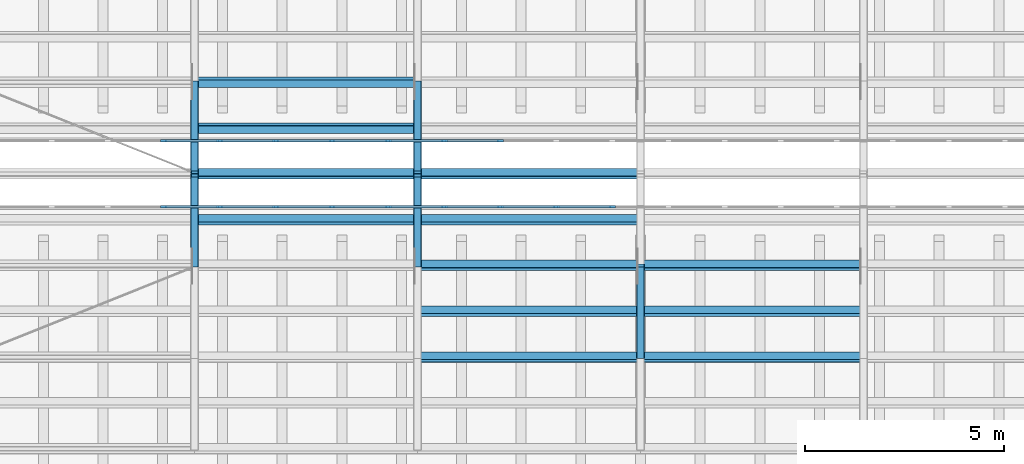
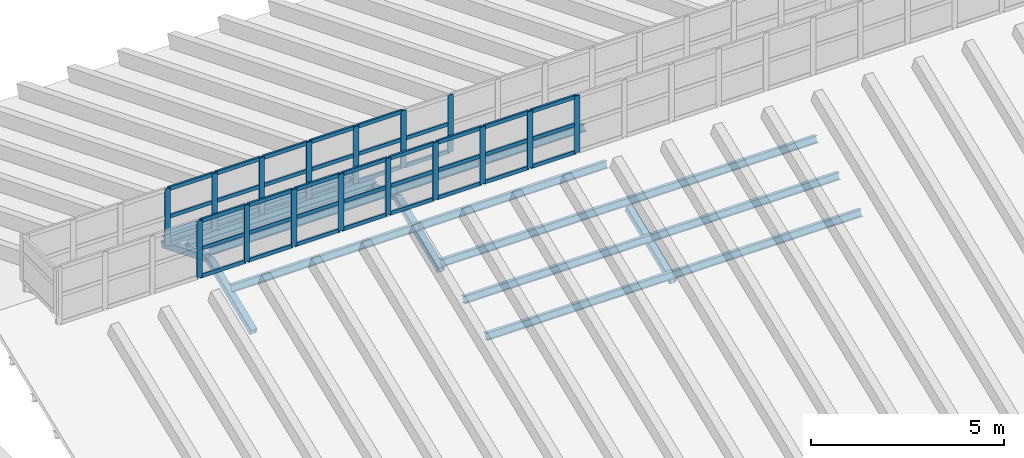
# One storey, part 30 of 105: 74 members, 2 elements without a shape of their own.
"""IFC4 building model written with IfcOpenShell, lengths in metres."""

import ifcopenshell
import ifcopenshell.guid

model = None  # the IFC model being written
_history = None  # IfcOwnerHistory: only IFC2X3 demands one
_inside = {}  # id of a spatial element -> (the spatial element, [elements in it])
_under = {}  # id of a project, library or spatial element -> (it, [spatial elements below it])
_declared = {}  # id of a project -> (the project, [libraries it declares])
_typed = {}  # id of a type object -> (the type object, [elements of that type])
_made_of = {}  # id of a material, layer set ... -> (it, [elements and type objects made of it])


def new_model(schema):
    """Start an empty IFC model of exactly this schema.

    Asked for "IFC4X3", IfcOpenShell would pick the latest addendum, in which some entities
    have other attributes; the version numbers below select the first issue.
    IFC2X3 requires an IfcOwnerHistory on every rooted entity: one is made here for all.
    """
    global model, _history
    if schema == "IFC4X3":
        model = ifcopenshell.file(schema_version=(4, 3, 0, 0))
    else:
        model = ifcopenshell.file(schema=schema)
    _inside.clear()
    _under.clear()
    _declared.clear()
    _typed.clear()
    _made_of.clear()
    _history = None
    if model.schema == "IFC2X3":
        org = make("IfcOrganization", Name="unknown")
        user = make(
            "IfcPersonAndOrganization",
            ThePerson=make("IfcPerson", FamilyName="unknown"),
            TheOrganization=org,
        )
        app = make(
            "IfcApplication",
            ApplicationDeveloper=org,
            Version="unknown",
            ApplicationFullName="unknown",
            ApplicationIdentifier="unknown",
        )
        _history = make(
            "IfcOwnerHistory",
            OwningUser=user,
            OwningApplication=app,
            ChangeAction="ADDED",
            CreationDate=0,
        )
    return model


def make(cls, **values):
    """One entity of the class cls with the attributes given. An attribute that is None is left unset."""
    return model.create_entity(
        cls, **{name: value for name, value in values.items() if value is not None}
    )


def rooted(cls, **values):
    """An entity with a GlobalId (a new one), such as an element, a storey or a relation."""
    return make(cls, GlobalId=ifcopenshell.guid.new(), OwnerHistory=_history, **values)


def si_unit(unit_type, name, prefix=None):
    """IfcSIUnit, for example si_unit("LENGTHUNIT", "METRE", prefix="MILLI")."""
    return make("IfcSIUnit", UnitType=unit_type, Prefix=prefix, Name=name)


def assignment(units):
    """IfcUnitAssignment: the units of a project."""
    return None if units is None else make("IfcUnitAssignment", Units=units)


def point(xyz):
    """IfcCartesianPoint."""
    return None if xyz is None else make("IfcCartesianPoint", Coordinates=xyz)


def direction(xyz):
    """IfcDirection."""
    return None if xyz is None else make("IfcDirection", DirectionRatios=xyz)


def frame(location, z_axis=None, x_axis=None):
    """IfcAxis2Placement3D, a coordinate frame: its origin and axes. An axis left out is left unset."""
    return make(
        "IfcAxis2Placement3D",
        Location=point(location),
        Axis=direction(z_axis),
        RefDirection=direction(x_axis),
    )


def frame_2d(location, x_axis=None):
    """IfcAxis2Placement2D, a coordinate frame in the plane: its origin and x axis."""
    return make(
        "IfcAxis2Placement2D", Location=point(location), RefDirection=direction(x_axis)
    )


def origin():
    """The frame at (0, 0, 0) with its axes left unset."""
    return frame((0.0, 0.0, 0.0))


def origin_2d():
    """The frame at (0, 0) in the plane with its x axis left unset."""
    return frame_2d((0.0, 0.0))


def place(relative_to, where):
    """IfcLocalPlacement: puts the frame where relative to a parent placement (None: the world)."""
    return make(
        "IfcLocalPlacement", PlacementRelTo=relative_to, RelativePlacement=where
    )


def context(
    kind, dimensions, precision=None, world=None, true_north=None, identifier=None
):
    """IfcGeometricRepresentationContext, for example the 3D "Model" context."""
    return make(
        "IfcGeometricRepresentationContext",
        ContextIdentifier=identifier,
        ContextType=kind,
        CoordinateSpaceDimension=dimensions,
        Precision=precision,
        WorldCoordinateSystem=world,
        TrueNorth=true_north,
    )


def subcontext(parent, identifier, kind, view, scale=None):
    """IfcGeometricRepresentationSubContext, for example "Body" below "Model"."""
    return make(
        "IfcGeometricRepresentationSubContext",
        ContextIdentifier=identifier,
        ContextType=kind,
        ParentContext=parent,
        TargetScale=scale,
        TargetView=view,
    )


def project(units=None, contexts=None):
    """IfcProject with its units and contexts."""
    return rooted(
        "IfcProject",
        Name="project",
        RepresentationContexts=contexts,
        UnitsInContext=assignment(units),
    )


def spatial(cls, under=None, at=None, **own):
    """A site, building, storey or space (cls), placed at a placement, below another one or the project."""
    s = rooted(cls, ObjectPlacement=at, **own)
    if under is not None:
        _under.setdefault(under.id(), (under, []))[1].append(s)
    return s


def profile(cls, at=None, kind="AREA", **sizes):
    """A parametric profile (cls). Its sizes go by their IFC names, for example OverallWidth=200.0."""
    return make(cls, ProfileType=kind, Position=at, **sizes)


def rectangle(**sizes):
    """IfcRectangleProfileDef."""
    return profile("IfcRectangleProfileDef", **sizes)


def hollow_rectangle(**sizes):
    """IfcRectangleHollowProfileDef."""
    return profile("IfcRectangleHollowProfileDef", **sizes)


def i_section(**sizes):
    """IfcIShapeProfileDef."""
    return profile("IfcIShapeProfileDef", **sizes)


def extrude(swept, where, along, depth):
    """IfcExtrudedAreaSolid: the profile swept, set in the frame where, extruded along a direction by depth."""
    return make(
        "IfcExtrudedAreaSolid",
        SweptArea=swept,
        Position=where,
        ExtrudedDirection=direction(along),
        Depth=depth,
    )


def shape(context_of_items, identifier, shape_type, items):
    """IfcShapeRepresentation: the items that make up one representation, for example the "Body"."""
    return make(
        "IfcShapeRepresentation",
        ContextOfItems=context_of_items,
        RepresentationIdentifier=identifier,
        RepresentationType=shape_type,
        Items=items,
    )


def material(Name=None, Category=None):
    """IfcMaterial."""
    return make("IfcMaterial", Name=Name, Category=Category)


def layer(
    of_material, thickness, ventilated=None, Name=None, Category=None, Priority=None
):
    """IfcMaterialLayer: one layer of a wall or slab, of a material (None: an air gap)."""
    return make(
        "IfcMaterialLayer",
        Material=of_material,
        LayerThickness=thickness,
        IsVentilated=ventilated,
        Name=Name,
        Category=Category,
        Priority=Priority,
    )


def layer_set(layers, Name=None):
    """IfcMaterialLayerSet."""
    return make("IfcMaterialLayerSet", MaterialLayers=layers, LayerSetName=Name)


def material_profile(
    of_material, cross_section, Name=None, Category=None, Priority=None
):
    """IfcMaterialProfile: a cross section and its material."""
    return make(
        "IfcMaterialProfile",
        Name=Name,
        Material=of_material,
        Profile=cross_section,
        Priority=Priority,
        Category=Category,
    )


def profile_set(profiles, Name=None, composite=None):
    """IfcMaterialProfileSet."""
    return make(
        "IfcMaterialProfileSet",
        Name=Name,
        MaterialProfiles=profiles,
        CompositeProfile=composite,
    )


def made_of(thing, what):
    """Note that an element or type object is made of a material, layer set ...; save() writes the relation."""
    if what is not None:
        _made_of.setdefault(what.id(), (what, []))[1].append(thing)
    return thing


def type_object(cls, material=None, **own):
    """A type object (cls), such as IfcWallType, which elements share."""
    return made_of(rooted(cls, **own), material)


def element(
    cls,
    number,
    at=None,
    inside=None,
    cuts=None,
    type_object=None,
    material=None,
    context=None,
    identifier="Body",
    shape_type=None,
    held_by="IfcProductDefinitionShape",
    body=None,
    shapes=None,
    **own,
):
    """One element of the class cls, such as IfcWall. Its Tag is "e" and its number.

    at: its placement. inside: the storey or other place that contains it. cuts: it is an
    opening in that element (IfcRelVoidsElement). A single representation is given by context,
    identifier, shape_type and body (its items); several are given by shapes. held_by: the class
    of the entity that holds the representations. save() writes the other relations.
    """
    e = rooted(cls, Tag="e%d" % number, ObjectPlacement=at, **own)
    if body is not None:
        shapes = [shape(context, identifier, shape_type, body)]
    if shapes is not None:
        e.Representation = make(held_by, Representations=shapes)
    if inside is not None:
        _inside.setdefault(inside.id(), (inside, []))[1].append(e)
    if cuts is not None:
        rooted(
            "IfcRelVoidsElement", RelatingBuildingElement=cuts, RelatedOpeningElement=e
        )
    if type_object is not None:
        _typed.setdefault(type_object.id(), (type_object, []))[1].append(e)
    return made_of(e, material)


def aggregate(whole, parts):
    """IfcRelAggregates: a whole, such as a stair, and the parts it consists of."""
    return rooted("IfcRelAggregates", RelatingObject=whole, RelatedObjects=parts)


def save(model, path):
    """Write the relations noted so far, then the file.

    IfcRelAggregates (storeys below a building ...), IfcRelContainedInSpatialStructure (elements
    in a storey), IfcRelDefinesByType, IfcRelAssociatesMaterial and IfcRelDeclares: one each for
    every whole, place, type object, material and project.
    """
    for whole, parts in _under.values():
        aggregate(whole, parts)
    for where, things in _inside.values():
        rooted(
            "IfcRelContainedInSpatialStructure",
            RelatedElements=things,
            RelatingStructure=where,
        )
    for kind, things in _typed.values():
        rooted("IfcRelDefinesByType", RelatedObjects=things, RelatingType=kind)
    for what, things in _made_of.values():
        rooted("IfcRelAssociatesMaterial", RelatedObjects=things, RelatingMaterial=what)
    for by, libraries in _declared.values():
        rooted("IfcRelDeclares", RelatingContext=by, RelatedDefinitions=libraries)
    model.write(path)


model = new_model("IFC4")

# Units and contexts
model_context = context("Model", 3, precision=1e-05, world=origin(), true_north=direction((0.0, 1.0)))
body_context = subcontext(model_context, "Body", "Model", "MODEL_VIEW")
ifc_project = project(units=[si_unit("LENGTHUNIT", "METRE"), si_unit("AREAUNIT", "SQUARE_METRE"), si_unit("VOLUMEUNIT", "CUBIC_METRE"), si_unit("PLANEANGLEUNIT", "RADIAN"), si_unit("MASSUNIT", "GRAM", prefix="KILO")], contexts=[model_context])

# Site, building, storey
site_placement = place(None, origin())
site = spatial("IfcSite", under=ifc_project, at=site_placement, CompositionType="ELEMENT")
building_placement = place(site_placement, origin())
building = spatial("IfcBuilding", under=site, at=building_placement, Name="Wasatch Bagh Community Centre", CompositionType="ELEMENT")
storey_placement = place(building_placement, frame((0.0, 0.0, 16.800048828125)))
storey = spatial("IfcBuildingStorey", under=building, at=storey_placement, Name="L04", CompositionType="ELEMENT", Elevation=16.800048828125)

# Members
ifc_material_1 = material(Name="ASTM A500 Grade C steel", Category="steel")
ifc_material_profile_1 = material_profile(ifc_material_1, hollow_rectangle(XDim=0.203125, YDim=0.203125, WallThickness=0.01171875, InnerFilletRadius=0.01171875, OuterFilletRadius=0.023681640625, at=origin_2d()), Name="HSS8x8x1/2")
ifc_profile_set_1 = profile_set([ifc_material_profile_1], Name="ASTM A500 Grade C steel")
member_type_1 = type_object("IfcMemberType", Name="SH HSS8x8x1/2 chord", PredefinedType="CHORD", material=ifc_profile_set_1)
for number, where, z_axis, x_axis, name in (
    (1, (117.800048828125, 49.70068359375, 1.947021484375), (0.0, 0.926063881505, 0.377366780961), (-1.0, 0.0, 0.0), "SH.SA2.TC07"),
    (2, (117.800048828125, 52.038818359375, 2.8681640625), (0.0, 0.926063881505, -0.377366780961), (-1.0, 0.0, 0.0), "SH.SA2.TC08"),
    (3, (123.39990234375, 49.70068359375, 1.947021484375), (0.0, 0.926063881505, 0.377366780961), (-1.0, 0.0, 0.0), "SH.SA3.TC07"),
    (4, (123.39990234375, 52.038818359375, 2.8681640625), (0.0, 0.926063881505, -0.377366780961), (-1.0, 0.0, 0.0), "SH.SA3.TC08"),
):
    element("IfcMember", number, at=place(storey_placement, frame(where, z_axis=z_axis, x_axis=x_axis)), inside=storey, type_object=member_type_1, Name=name, PredefinedType="CHORD", context=body_context, shape_type="SweptSolid", body=[
        extrude(hollow_rectangle(XDim=0.203125, YDim=0.203125, WallThickness=0.01171875, InnerFilletRadius=0.01171875, OuterFilletRadius=0.023681640625, at=origin_2d()), origin(), (0.0, 0.0, 1.0), 2.44091796875),
    ])
member_1_placement = place(storey_placement, frame((129.0, 47.400390625, 1.017578125), z_axis=(0.0, 0.927174106992, 0.374630718605), x_axis=(-1.0, 0.0, 0.0)))
element("IfcMember", 5, at=member_1_placement, inside=storey, type_object=member_type_1, Name="SH.SA4.TC06", PredefinedType="CHORD", context=body_context, shape_type="SweptSolid", body=[
    extrude(hollow_rectangle(XDim=0.203125, YDim=0.203125, WallThickness=0.01171875, InnerFilletRadius=0.01171875, OuterFilletRadius=0.023681640625, at=origin_2d()), origin(), (0.0, 0.0, 1.0), 2.479736328125),
])
ifc_material_2 = material(Name="ASTM A992 Grade 50 steel", Category="steel")
ifc_material_profile_2 = material_profile(ifc_material_2, i_section(OverallWidth=0.203125, OverallDepth=0.203125, WebThickness=0.00732421875, FlangeThickness=0.010986328125, at=origin_2d()), Name="W8x31")
ifc_profile_set_2 = profile_set([ifc_material_profile_2], Name="ASTM A992 Grade 50 steel")
member_type_2 = type_object("IfcMemberType", Name="SH W8x31 purlin", PredefinedType="PURLIN", material=ifc_profile_set_2)
for number, where, z_axis, x_axis, name in (
    (6, (117.800048828125, 50.85009765625, 2.63037109375), (1.0, 0.0, 0.0), (0.0, 0.927183854567, -0.374606593416), "SH.PUR.b2.PU15"),
    (7, (117.800048828125, 52.0, 3.094970703125), (1.0, 0.0, 0.0), (0.0, 0.927183854567, -0.374606593416), "SH.PUR.b2.PU16"),
    (8, (117.800048828125, 53.14990234375, 2.63037109375), (1.0, 0.0, 0.0), (0.0, 0.927183854567, 0.374606593416), "SH.PUR.b2.PU17"),
    (9, (117.800048828125, 54.300048828125, 2.165771484375), (1.0, 0.0, 0.0), (0.0, 0.927183854567, 0.374606593416), "SH.PUR.b2.PU18"),
):
    element("IfcMember", number, at=place(storey_placement, frame(where, z_axis=z_axis, x_axis=x_axis)), inside=storey, type_object=member_type_2, Name=name, PredefinedType="PURLIN", context=body_context, shape_type="SweptSolid", body=[
        extrude(i_section(OverallWidth=0.203125, OverallDepth=0.203125, WebThickness=0.00732421875, FlangeThickness=0.010986328125, at=origin_2d()), origin(), (0.0, 0.0, 1.0), 5.599853515625),
    ])
for number, where, z_axis, x_axis, name in (
    (10, (123.39990234375, 47.39990234375, 1.236572265625), (1.0, 0.0, 0.0), (0.0, 0.927183854567, -0.374606593416), "SH.PUR.b3.PU12"),
    (11, (123.39990234375, 48.550048828125, 1.701171875), (1.0, 0.0, 0.0), (0.0, 0.927183854567, -0.374606593416), "SH.PUR.b3.PU13"),
    (12, (123.39990234375, 49.699951171875, 2.165771484375), (1.0, 0.0, 0.0), (0.0, 0.927183854567, -0.374606593416), "SH.PUR.b3.PU14"),
    (13, (123.39990234375, 50.85009765625, 2.63037109375), (1.0, 0.0, 0.0), (0.0, 0.927183854567, -0.374606593416), "SH.PUR.b3.PU15"),
    (14, (123.39990234375, 52.0, 3.094970703125), (1.0, 0.0, 0.0), (0.0, 0.927183854567, -0.374606593416), "SH.PUR.b3.PU16"),
    (15, (129.0, 47.39990234375, 1.236572265625), (1.0, 0.0, 0.0), (0.0, 0.927183854567, -0.374606593416), "SH.PUR.b4.PU12"),
    (16, (129.0, 48.550048828125, 1.701171875), (1.0, 0.0, 0.0), (0.0, 0.927183854567, -0.374606593416), "SH.PUR.b4.PU13"),
    (17, (129.0, 49.699951171875, 2.165771484375), (1.0, 0.0, 0.0), (0.0, 0.927183854567, -0.374606593416), "SH.PUR.b4.PU14"),
):
    element("IfcMember", number, at=place(storey_placement, frame(where, z_axis=z_axis, x_axis=x_axis)), inside=storey, type_object=member_type_2, Name=name, PredefinedType="PURLIN", context=body_context, shape_type="SweptSolid", body=[
        extrude(i_section(OverallWidth=0.203125, OverallDepth=0.203125, WebThickness=0.00732421875, FlangeThickness=0.010986328125, at=origin_2d()), origin(), (0.0, 0.0, 1.0), 5.60009765625),
    ])

# Curtain wall, members
ifc_material_3 = material(Name="Aluminium alloy 6063-T6", Category="aluminium")
ifc_layer = layer(ifc_material_3, 0.10009765625)
ifc_layer_set = layer_set([ifc_layer], Name="Aluminium alloy 6063-T6")
curtain_wall_type = type_object("IfcCurtainWallType", Name="SH-CW3", PredefinedType="NOTDEFINED", material=ifc_layer_set)
curtain_wall_1_placement = place(storey_placement, origin())
curtain_wall_1 = element("IfcCurtainWall", 18, at=curtain_wall_1_placement, inside=storey, type_object=curtain_wall_type, Name="Curtain wall SH-CW3", PredefinedType="NOTDEFINED")
ifc_material_profile_3 = material_profile(ifc_material_3, rectangle(XDim=0.06005859375, YDim=0.159912109375, at=origin_2d()), Name="AL 60x160")
ifc_profile_set_3 = profile_set([ifc_material_profile_3], Name="Aluminium alloy 6063-T6")
member_type_3 = type_object("IfcMemberType", Name="SH-CW3 mullion", PredefinedType="MULLION", material=ifc_profile_set_3)
member_2_placement = place(storey_placement, frame((117.026123046875, 51.169921875, 3.052734375), z_axis=(0.0, 0.0, 1.0), x_axis=(0.0, 1.0, 0.0)))
member_2 = element("IfcMember", 19, at=member_2_placement, type_object=member_type_3, Name="SH-CW3 mullion 4", PredefinedType="MULLION", context=body_context, shape_type="SweptSolid", body=[
    extrude(rectangle(XDim=0.06005859375, YDim=0.159912109375, at=origin_2d()), origin(), (0.0, 0.0, 1.0), 1.800048828125),
])
member_3_placement = place(storey_placement, frame((118.434814453125, 51.169921875, 3.052734375), z_axis=(0.0, 0.0, 1.0), x_axis=(0.0, 1.0, 0.0)))
member_3 = element("IfcMember", 20, at=member_3_placement, type_object=member_type_3, Name="SH-CW3 mullion 5", PredefinedType="MULLION", context=body_context, shape_type="SweptSolid", body=[
    extrude(rectangle(XDim=0.06005859375, YDim=0.159912109375, at=origin_2d()), origin(), (0.0, 0.0, 1.0), 1.800048828125),
])
member_4_placement = place(storey_placement, frame((119.843505859375, 51.169921875, 3.052734375), z_axis=(0.0, 0.0, 1.0), x_axis=(0.0, 1.0, 0.0)))
member_4 = element("IfcMember", 21, at=member_4_placement, type_object=member_type_3, Name="SH-CW3 mullion 6", PredefinedType="MULLION", context=body_context, shape_type="SweptSolid", body=[
    extrude(rectangle(XDim=0.06005859375, YDim=0.159912109375, at=origin_2d()), origin(), (0.0, 0.0, 1.0), 1.800048828125),
])
member_5_placement = place(storey_placement, frame((121.252197265625, 51.169921875, 3.052734375), z_axis=(0.0, 0.0, 1.0), x_axis=(0.0, 1.0, 0.0)))
member_5 = element("IfcMember", 22, at=member_5_placement, type_object=member_type_3, Name="SH-CW3 mullion 7", PredefinedType="MULLION", context=body_context, shape_type="SweptSolid", body=[
    extrude(rectangle(XDim=0.06005859375, YDim=0.159912109375, at=origin_2d()), origin(), (0.0, 0.0, 1.0), 1.800048828125),
])
member_6_placement = place(storey_placement, frame((122.660888671875, 51.169921875, 3.052734375), z_axis=(0.0, 0.0, 1.0), x_axis=(0.0, 1.0, 0.0)))
member_6 = element("IfcMember", 23, at=member_6_placement, type_object=member_type_3, Name="SH-CW3 mullion 8", PredefinedType="MULLION", context=body_context, shape_type="SweptSolid", body=[
    extrude(rectangle(XDim=0.06005859375, YDim=0.159912109375, at=origin_2d()), origin(), (0.0, 0.0, 1.0), 1.800048828125),
])
member_7_placement = place(storey_placement, frame((124.069580078125, 51.169921875, 3.052734375), z_axis=(0.0, 0.0, 1.0), x_axis=(0.0, 1.0, 0.0)))
member_7 = element("IfcMember", 24, at=member_7_placement, type_object=member_type_3, Name="SH-CW3 mullion 9", PredefinedType="MULLION", context=body_context, shape_type="SweptSolid", body=[
    extrude(rectangle(XDim=0.06005859375, YDim=0.159912109375, at=origin_2d()), origin(), (0.0, 0.0, 1.0), 1.800048828125),
])
member_8_placement = place(storey_placement, frame((125.478271484375, 51.169921875, 3.052734375), z_axis=(0.0, 0.0, 1.0), x_axis=(0.0, 1.0, 0.0)))
member_8 = element("IfcMember", 25, at=member_8_placement, type_object=member_type_3, Name="SH-CW3 mullion 10", PredefinedType="MULLION", context=body_context, shape_type="SweptSolid", body=[
    extrude(rectangle(XDim=0.06005859375, YDim=0.159912109375, at=origin_2d()), origin(), (0.0, 0.0, 1.0), 1.800048828125),
])
member_9_placement = place(storey_placement, frame((126.886962890625, 51.169921875, 3.052734375), z_axis=(0.0, 0.0, 1.0), x_axis=(0.0, 1.0, 0.0)))
member_9 = element("IfcMember", 26, at=member_9_placement, type_object=member_type_3, Name="SH-CW3 mullion 11", PredefinedType="MULLION", context=body_context, shape_type="SweptSolid", body=[
    extrude(rectangle(XDim=0.06005859375, YDim=0.159912109375, at=origin_2d()), origin(), (0.0, 0.0, 1.0), 1.800048828125),
])
member_10_placement = place(storey_placement, frame((128.295654296875, 51.169921875, 3.052734375), z_axis=(0.0, 0.0, 1.0), x_axis=(0.0, 1.0, 0.0)))
member_10 = element("IfcMember", 27, at=member_10_placement, type_object=member_type_3, Name="SH-CW3 mullion 12", PredefinedType="MULLION", context=body_context, shape_type="SweptSolid", body=[
    extrude(rectangle(XDim=0.06005859375, YDim=0.159912109375, at=origin_2d()), origin(), (0.0, 0.0, 1.0), 1.800048828125),
])

curtain_wall_2_placement = place(storey_placement, origin())
curtain_wall_2 = element("IfcCurtainWall", 28, at=curtain_wall_2_placement, inside=storey, type_object=curtain_wall_type, Name="Curtain wall SH-CW3", PredefinedType="NOTDEFINED")
member_11_placement = place(storey_placement, frame((117.026123046875, 52.830078125, 3.052734375), z_axis=(0.0, 0.0, 1.0), x_axis=(0.0, 1.0, 0.0)))
member_11 = element("IfcMember", 29, at=member_11_placement, type_object=member_type_3, Name="SH-CW3 mullion 4", PredefinedType="MULLION", context=body_context, shape_type="SweptSolid", body=[
    extrude(rectangle(XDim=0.06005859375, YDim=0.159912109375, at=origin_2d()), origin(), (0.0, 0.0, 1.0), 1.800048828125),
])
member_12_placement = place(storey_placement, frame((118.434814453125, 52.830078125, 3.052734375), z_axis=(0.0, 0.0, 1.0), x_axis=(0.0, 1.0, 0.0)))
member_12 = element("IfcMember", 30, at=member_12_placement, type_object=member_type_3, Name="SH-CW3 mullion 5", PredefinedType="MULLION", context=body_context, shape_type="SweptSolid", body=[
    extrude(rectangle(XDim=0.06005859375, YDim=0.159912109375, at=origin_2d()), origin(), (0.0, 0.0, 1.0), 1.800048828125),
])
member_13_placement = place(storey_placement, frame((119.843505859375, 52.830078125, 3.052734375), z_axis=(0.0, 0.0, 1.0), x_axis=(0.0, 1.0, 0.0)))
member_13 = element("IfcMember", 31, at=member_13_placement, type_object=member_type_3, Name="SH-CW3 mullion 6", PredefinedType="MULLION", context=body_context, shape_type="SweptSolid", body=[
    extrude(rectangle(XDim=0.06005859375, YDim=0.159912109375, at=origin_2d()), origin(), (0.0, 0.0, 1.0), 1.800048828125),
])
member_14_placement = place(storey_placement, frame((121.252197265625, 52.830078125, 3.052734375), z_axis=(0.0, 0.0, 1.0), x_axis=(0.0, 1.0, 0.0)))
member_14 = element("IfcMember", 32, at=member_14_placement, type_object=member_type_3, Name="SH-CW3 mullion 7", PredefinedType="MULLION", context=body_context, shape_type="SweptSolid", body=[
    extrude(rectangle(XDim=0.06005859375, YDim=0.159912109375, at=origin_2d()), origin(), (0.0, 0.0, 1.0), 1.800048828125),
])
member_15_placement = place(storey_placement, frame((122.660888671875, 52.830078125, 3.052734375), z_axis=(0.0, 0.0, 1.0), x_axis=(0.0, 1.0, 0.0)))
member_15 = element("IfcMember", 33, at=member_15_placement, type_object=member_type_3, Name="SH-CW3 mullion 8", PredefinedType="MULLION", context=body_context, shape_type="SweptSolid", body=[
    extrude(rectangle(XDim=0.06005859375, YDim=0.159912109375, at=origin_2d()), origin(), (0.0, 0.0, 1.0), 1.800048828125),
])
member_16_placement = place(storey_placement, frame((124.069580078125, 52.830078125, 3.052734375), z_axis=(0.0, 0.0, 1.0), x_axis=(0.0, 1.0, 0.0)))
member_16 = element("IfcMember", 34, at=member_16_placement, type_object=member_type_3, Name="SH-CW3 mullion 9", PredefinedType="MULLION", context=body_context, shape_type="SweptSolid", body=[
    extrude(rectangle(XDim=0.06005859375, YDim=0.159912109375, at=origin_2d()), origin(), (0.0, 0.0, 1.0), 1.800048828125),
])
member_17_placement = place(storey_placement, frame((125.478271484375, 52.830078125, 3.052734375), z_axis=(0.0, 0.0, 1.0), x_axis=(0.0, 1.0, 0.0)))
member_17 = element("IfcMember", 35, at=member_17_placement, type_object=member_type_3, Name="SH-CW3 mullion 10", PredefinedType="MULLION", context=body_context, shape_type="SweptSolid", body=[
    extrude(rectangle(XDim=0.06005859375, YDim=0.159912109375, at=origin_2d()), origin(), (0.0, 0.0, 1.0), 1.800048828125),
])

# Member
ifc_material_profile_4 = material_profile(ifc_material_3, rectangle(XDim=0.06005859375, YDim=0.1201171875, at=origin_2d()), Name="AL 60x120")
ifc_profile_set_4 = profile_set([ifc_material_profile_4], Name="Aluminium alloy 6063-T6")
member_type_4 = type_object("IfcMemberType", Name="SH-CW3 transom", PredefinedType="USERDEFINED", material=ifc_profile_set_4)
member_18_placement = place(storey_placement, frame((117.05615234375, 51.169921875, 3.082763671875), z_axis=(1.0, 0.0, 0.0), x_axis=(0.0, 1.0, 0.0)))
member_18 = element("IfcMember", 36, at=member_18_placement, type_object=member_type_4, Name="SH-CW3 transom 4.1", ObjectType="TRANSOM", PredefinedType="USERDEFINED", context=body_context, shape_type="SweptSolid", body=[
    extrude(rectangle(XDim=0.06005859375, YDim=0.1201171875, at=origin_2d()), origin(), (0.0, 0.0, 1.0), 1.3486328125),
])

member_19_placement = place(storey_placement, frame((117.05615234375, 51.169921875, 3.952880859375), z_axis=(1.0, 0.0, 0.0), x_axis=(0.0, 1.0, 0.0)))
member_19 = element("IfcMember", 37, at=member_19_placement, type_object=member_type_4, Name="SH-CW3 transom 4.2", ObjectType="TRANSOM", PredefinedType="USERDEFINED", context=body_context, shape_type="SweptSolid", body=[
    extrude(rectangle(XDim=0.06005859375, YDim=0.1201171875, at=origin_2d()), origin(), (0.0, 0.0, 1.0), 1.3486328125),
])

member_20_placement = place(storey_placement, frame((117.05615234375, 51.169921875, 4.82275390625), z_axis=(1.0, 0.0, 0.0), x_axis=(0.0, 1.0, 0.0)))
member_20 = element("IfcMember", 38, at=member_20_placement, type_object=member_type_4, Name="SH-CW3 transom 4.3", ObjectType="TRANSOM", PredefinedType="USERDEFINED", context=body_context, shape_type="SweptSolid", body=[
    extrude(rectangle(XDim=0.06005859375, YDim=0.1201171875, at=origin_2d()), origin(), (0.0, 0.0, 1.0), 1.3486328125),
])

member_21_placement = place(storey_placement, frame((118.46484375, 51.169921875, 3.082763671875), z_axis=(1.0, 0.0, 0.0), x_axis=(0.0, 1.0, 0.0)))
member_21 = element("IfcMember", 39, at=member_21_placement, type_object=member_type_4, Name="SH-CW3 transom 5.1", ObjectType="TRANSOM", PredefinedType="USERDEFINED", context=body_context, shape_type="SweptSolid", body=[
    extrude(rectangle(XDim=0.06005859375, YDim=0.1201171875, at=origin_2d()), origin(), (0.0, 0.0, 1.0), 1.3486328125),
])

member_22_placement = place(storey_placement, frame((118.46484375, 51.169921875, 3.952880859375), z_axis=(1.0, 0.0, 0.0), x_axis=(0.0, 1.0, 0.0)))
member_22 = element("IfcMember", 40, at=member_22_placement, type_object=member_type_4, Name="SH-CW3 transom 5.2", ObjectType="TRANSOM", PredefinedType="USERDEFINED", context=body_context, shape_type="SweptSolid", body=[
    extrude(rectangle(XDim=0.06005859375, YDim=0.1201171875, at=origin_2d()), origin(), (0.0, 0.0, 1.0), 1.3486328125),
])

member_23_placement = place(storey_placement, frame((118.46484375, 51.169921875, 4.82275390625), z_axis=(1.0, 0.0, 0.0), x_axis=(0.0, 1.0, 0.0)))
member_23 = element("IfcMember", 41, at=member_23_placement, type_object=member_type_4, Name="SH-CW3 transom 5.3", ObjectType="TRANSOM", PredefinedType="USERDEFINED", context=body_context, shape_type="SweptSolid", body=[
    extrude(rectangle(XDim=0.06005859375, YDim=0.1201171875, at=origin_2d()), origin(), (0.0, 0.0, 1.0), 1.3486328125),
])

member_24_placement = place(storey_placement, frame((119.87353515625, 51.169921875, 3.082763671875), z_axis=(1.0, 0.0, 0.0), x_axis=(0.0, 1.0, 0.0)))
member_24 = element("IfcMember", 42, at=member_24_placement, type_object=member_type_4, Name="SH-CW3 transom 6.1", ObjectType="TRANSOM", PredefinedType="USERDEFINED", context=body_context, shape_type="SweptSolid", body=[
    extrude(rectangle(XDim=0.06005859375, YDim=0.1201171875, at=origin_2d()), origin(), (0.0, 0.0, 1.0), 1.3486328125),
])

member_25_placement = place(storey_placement, frame((119.87353515625, 51.169921875, 3.952880859375), z_axis=(1.0, 0.0, 0.0), x_axis=(0.0, 1.0, 0.0)))
member_25 = element("IfcMember", 43, at=member_25_placement, type_object=member_type_4, Name="SH-CW3 transom 6.2", ObjectType="TRANSOM", PredefinedType="USERDEFINED", context=body_context, shape_type="SweptSolid", body=[
    extrude(rectangle(XDim=0.06005859375, YDim=0.1201171875, at=origin_2d()), origin(), (0.0, 0.0, 1.0), 1.3486328125),
])

member_26_placement = place(storey_placement, frame((119.87353515625, 51.169921875, 4.82275390625), z_axis=(1.0, 0.0, 0.0), x_axis=(0.0, 1.0, 0.0)))
member_26 = element("IfcMember", 44, at=member_26_placement, type_object=member_type_4, Name="SH-CW3 transom 6.3", ObjectType="TRANSOM", PredefinedType="USERDEFINED", context=body_context, shape_type="SweptSolid", body=[
    extrude(rectangle(XDim=0.06005859375, YDim=0.1201171875, at=origin_2d()), origin(), (0.0, 0.0, 1.0), 1.3486328125),
])

member_27_placement = place(storey_placement, frame((121.2822265625, 51.169921875, 3.082763671875), z_axis=(1.0, 0.0, 0.0), x_axis=(0.0, 1.0, 0.0)))
member_27 = element("IfcMember", 45, at=member_27_placement, type_object=member_type_4, Name="SH-CW3 transom 7.1", ObjectType="TRANSOM", PredefinedType="USERDEFINED", context=body_context, shape_type="SweptSolid", body=[
    extrude(rectangle(XDim=0.06005859375, YDim=0.1201171875, at=origin_2d()), origin(), (0.0, 0.0, 1.0), 1.3486328125),
])

member_28_placement = place(storey_placement, frame((121.2822265625, 51.169921875, 3.952880859375), z_axis=(1.0, 0.0, 0.0), x_axis=(0.0, 1.0, 0.0)))
member_28 = element("IfcMember", 46, at=member_28_placement, type_object=member_type_4, Name="SH-CW3 transom 7.2", ObjectType="TRANSOM", PredefinedType="USERDEFINED", context=body_context, shape_type="SweptSolid", body=[
    extrude(rectangle(XDim=0.06005859375, YDim=0.1201171875, at=origin_2d()), origin(), (0.0, 0.0, 1.0), 1.3486328125),
])

member_29_placement = place(storey_placement, frame((121.2822265625, 51.169921875, 4.82275390625), z_axis=(1.0, 0.0, 0.0), x_axis=(0.0, 1.0, 0.0)))
member_29 = element("IfcMember", 47, at=member_29_placement, type_object=member_type_4, Name="SH-CW3 transom 7.3", ObjectType="TRANSOM", PredefinedType="USERDEFINED", context=body_context, shape_type="SweptSolid", body=[
    extrude(rectangle(XDim=0.06005859375, YDim=0.1201171875, at=origin_2d()), origin(), (0.0, 0.0, 1.0), 1.3486328125),
])

member_30_placement = place(storey_placement, frame((122.69091796875, 51.169921875, 3.082763671875), z_axis=(1.0, 0.0, 0.0), x_axis=(0.0, 1.0, 0.0)))
member_30 = element("IfcMember", 48, at=member_30_placement, type_object=member_type_4, Name="SH-CW3 transom 8.1", ObjectType="TRANSOM", PredefinedType="USERDEFINED", context=body_context, shape_type="SweptSolid", body=[
    extrude(rectangle(XDim=0.06005859375, YDim=0.1201171875, at=origin_2d()), origin(), (0.0, 0.0, 1.0), 1.3486328125),
])

member_31_placement = place(storey_placement, frame((122.69091796875, 51.169921875, 3.952880859375), z_axis=(1.0, 0.0, 0.0), x_axis=(0.0, 1.0, 0.0)))
member_31 = element("IfcMember", 49, at=member_31_placement, type_object=member_type_4, Name="SH-CW3 transom 8.2", ObjectType="TRANSOM", PredefinedType="USERDEFINED", context=body_context, shape_type="SweptSolid", body=[
    extrude(rectangle(XDim=0.06005859375, YDim=0.1201171875, at=origin_2d()), origin(), (0.0, 0.0, 1.0), 1.3486328125),
])

member_32_placement = place(storey_placement, frame((122.69091796875, 51.169921875, 4.82275390625), z_axis=(1.0, 0.0, 0.0), x_axis=(0.0, 1.0, 0.0)))
member_32 = element("IfcMember", 50, at=member_32_placement, type_object=member_type_4, Name="SH-CW3 transom 8.3", ObjectType="TRANSOM", PredefinedType="USERDEFINED", context=body_context, shape_type="SweptSolid", body=[
    extrude(rectangle(XDim=0.06005859375, YDim=0.1201171875, at=origin_2d()), origin(), (0.0, 0.0, 1.0), 1.3486328125),
])

member_33_placement = place(storey_placement, frame((124.099609375, 51.169921875, 3.082763671875), z_axis=(1.0, 0.0, 0.0), x_axis=(0.0, 1.0, 0.0)))
member_33 = element("IfcMember", 51, at=member_33_placement, type_object=member_type_4, Name="SH-CW3 transom 9.1", ObjectType="TRANSOM", PredefinedType="USERDEFINED", context=body_context, shape_type="SweptSolid", body=[
    extrude(rectangle(XDim=0.06005859375, YDim=0.1201171875, at=origin_2d()), origin(), (0.0, 0.0, 1.0), 1.3486328125),
])

member_34_placement = place(storey_placement, frame((124.099609375, 51.169921875, 3.952880859375), z_axis=(1.0, 0.0, 0.0), x_axis=(0.0, 1.0, 0.0)))
member_34 = element("IfcMember", 52, at=member_34_placement, type_object=member_type_4, Name="SH-CW3 transom 9.2", ObjectType="TRANSOM", PredefinedType="USERDEFINED", context=body_context, shape_type="SweptSolid", body=[
    extrude(rectangle(XDim=0.06005859375, YDim=0.1201171875, at=origin_2d()), origin(), (0.0, 0.0, 1.0), 1.3486328125),
])

member_35_placement = place(storey_placement, frame((124.099609375, 51.169921875, 4.82275390625), z_axis=(1.0, 0.0, 0.0), x_axis=(0.0, 1.0, 0.0)))
member_35 = element("IfcMember", 53, at=member_35_placement, type_object=member_type_4, Name="SH-CW3 transom 9.3", ObjectType="TRANSOM", PredefinedType="USERDEFINED", context=body_context, shape_type="SweptSolid", body=[
    extrude(rectangle(XDim=0.06005859375, YDim=0.1201171875, at=origin_2d()), origin(), (0.0, 0.0, 1.0), 1.3486328125),
])

member_36_placement = place(storey_placement, frame((125.50830078125, 51.169921875, 3.082763671875), z_axis=(1.0, 0.0, 0.0), x_axis=(0.0, 1.0, 0.0)))
member_36 = element("IfcMember", 54, at=member_36_placement, type_object=member_type_4, Name="SH-CW3 transom 10.1", ObjectType="TRANSOM", PredefinedType="USERDEFINED", context=body_context, shape_type="SweptSolid", body=[
    extrude(rectangle(XDim=0.06005859375, YDim=0.1201171875, at=origin_2d()), origin(), (0.0, 0.0, 1.0), 1.3486328125),
])

member_37_placement = place(storey_placement, frame((125.50830078125, 51.169921875, 3.952880859375), z_axis=(1.0, 0.0, 0.0), x_axis=(0.0, 1.0, 0.0)))
member_37 = element("IfcMember", 55, at=member_37_placement, type_object=member_type_4, Name="SH-CW3 transom 10.2", ObjectType="TRANSOM", PredefinedType="USERDEFINED", context=body_context, shape_type="SweptSolid", body=[
    extrude(rectangle(XDim=0.06005859375, YDim=0.1201171875, at=origin_2d()), origin(), (0.0, 0.0, 1.0), 1.3486328125),
])

member_38_placement = place(storey_placement, frame((125.50830078125, 51.169921875, 4.82275390625), z_axis=(1.0, 0.0, 0.0), x_axis=(0.0, 1.0, 0.0)))
member_38 = element("IfcMember", 56, at=member_38_placement, type_object=member_type_4, Name="SH-CW3 transom 10.3", ObjectType="TRANSOM", PredefinedType="USERDEFINED", context=body_context, shape_type="SweptSolid", body=[
    extrude(rectangle(XDim=0.06005859375, YDim=0.1201171875, at=origin_2d()), origin(), (0.0, 0.0, 1.0), 1.3486328125),
])

member_39_placement = place(storey_placement, frame((126.9169921875, 51.169921875, 3.082763671875), z_axis=(1.0, 0.0, 0.0), x_axis=(0.0, 1.0, 0.0)))
member_39 = element("IfcMember", 57, at=member_39_placement, type_object=member_type_4, Name="SH-CW3 transom 11.1", ObjectType="TRANSOM", PredefinedType="USERDEFINED", context=body_context, shape_type="SweptSolid", body=[
    extrude(rectangle(XDim=0.06005859375, YDim=0.1201171875, at=origin_2d()), origin(), (0.0, 0.0, 1.0), 1.3486328125),
])

member_40_placement = place(storey_placement, frame((126.9169921875, 51.169921875, 3.952880859375), z_axis=(1.0, 0.0, 0.0), x_axis=(0.0, 1.0, 0.0)))
member_40 = element("IfcMember", 58, at=member_40_placement, type_object=member_type_4, Name="SH-CW3 transom 11.2", ObjectType="TRANSOM", PredefinedType="USERDEFINED", context=body_context, shape_type="SweptSolid", body=[
    extrude(rectangle(XDim=0.06005859375, YDim=0.1201171875, at=origin_2d()), origin(), (0.0, 0.0, 1.0), 1.3486328125),
])

member_41_placement = place(storey_placement, frame((126.9169921875, 51.169921875, 4.82275390625), z_axis=(1.0, 0.0, 0.0), x_axis=(0.0, 1.0, 0.0)))
member_41 = element("IfcMember", 59, at=member_41_placement, type_object=member_type_4, Name="SH-CW3 transom 11.3", ObjectType="TRANSOM", PredefinedType="USERDEFINED", context=body_context, shape_type="SweptSolid", body=[
    extrude(rectangle(XDim=0.06005859375, YDim=0.1201171875, at=origin_2d()), origin(), (0.0, 0.0, 1.0), 1.3486328125),
])

aggregate(curtain_wall_1, [member_2, member_3, member_4, member_5, member_6, member_7, member_8, member_9, member_10, member_18, member_19, member_20, member_21, member_22, member_23, member_24, member_25, member_26, member_27, member_28, member_29, member_30, member_31, member_32, member_33, member_34, member_35, member_36, member_37, member_38, member_39, member_40, member_41])

member_42_placement = place(storey_placement, frame((117.05615234375, 52.830078125, 3.082763671875), z_axis=(1.0, 0.0, 0.0), x_axis=(0.0, 1.0, 0.0)))
member_42 = element("IfcMember", 60, at=member_42_placement, type_object=member_type_4, Name="SH-CW3 transom 4.1", ObjectType="TRANSOM", PredefinedType="USERDEFINED", context=body_context, shape_type="SweptSolid", body=[
    extrude(rectangle(XDim=0.06005859375, YDim=0.1201171875, at=origin_2d()), origin(), (0.0, 0.0, 1.0), 1.3486328125),
])

member_43_placement = place(storey_placement, frame((117.05615234375, 52.830078125, 3.952880859375), z_axis=(1.0, 0.0, 0.0), x_axis=(0.0, 1.0, 0.0)))
member_43 = element("IfcMember", 61, at=member_43_placement, type_object=member_type_4, Name="SH-CW3 transom 4.2", ObjectType="TRANSOM", PredefinedType="USERDEFINED", context=body_context, shape_type="SweptSolid", body=[
    extrude(rectangle(XDim=0.06005859375, YDim=0.1201171875, at=origin_2d()), origin(), (0.0, 0.0, 1.0), 1.3486328125),
])

member_44_placement = place(storey_placement, frame((117.05615234375, 52.830078125, 4.82275390625), z_axis=(1.0, 0.0, 0.0), x_axis=(0.0, 1.0, 0.0)))
member_44 = element("IfcMember", 62, at=member_44_placement, type_object=member_type_4, Name="SH-CW3 transom 4.3", ObjectType="TRANSOM", PredefinedType="USERDEFINED", context=body_context, shape_type="SweptSolid", body=[
    extrude(rectangle(XDim=0.06005859375, YDim=0.1201171875, at=origin_2d()), origin(), (0.0, 0.0, 1.0), 1.3486328125),
])

member_45_placement = place(storey_placement, frame((118.46484375, 52.830078125, 3.082763671875), z_axis=(1.0, 0.0, 0.0), x_axis=(0.0, 1.0, 0.0)))
member_45 = element("IfcMember", 63, at=member_45_placement, type_object=member_type_4, Name="SH-CW3 transom 5.1", ObjectType="TRANSOM", PredefinedType="USERDEFINED", context=body_context, shape_type="SweptSolid", body=[
    extrude(rectangle(XDim=0.06005859375, YDim=0.1201171875, at=origin_2d()), origin(), (0.0, 0.0, 1.0), 1.3486328125),
])

member_46_placement = place(storey_placement, frame((118.46484375, 52.830078125, 3.952880859375), z_axis=(1.0, 0.0, 0.0), x_axis=(0.0, 1.0, 0.0)))
member_46 = element("IfcMember", 64, at=member_46_placement, type_object=member_type_4, Name="SH-CW3 transom 5.2", ObjectType="TRANSOM", PredefinedType="USERDEFINED", context=body_context, shape_type="SweptSolid", body=[
    extrude(rectangle(XDim=0.06005859375, YDim=0.1201171875, at=origin_2d()), origin(), (0.0, 0.0, 1.0), 1.3486328125),
])

member_47_placement = place(storey_placement, frame((118.46484375, 52.830078125, 4.82275390625), z_axis=(1.0, 0.0, 0.0), x_axis=(0.0, 1.0, 0.0)))
member_47 = element("IfcMember", 65, at=member_47_placement, type_object=member_type_4, Name="SH-CW3 transom 5.3", ObjectType="TRANSOM", PredefinedType="USERDEFINED", context=body_context, shape_type="SweptSolid", body=[
    extrude(rectangle(XDim=0.06005859375, YDim=0.1201171875, at=origin_2d()), origin(), (0.0, 0.0, 1.0), 1.3486328125),
])

member_48_placement = place(storey_placement, frame((119.87353515625, 52.830078125, 3.082763671875), z_axis=(1.0, 0.0, 0.0), x_axis=(0.0, 1.0, 0.0)))
member_48 = element("IfcMember", 66, at=member_48_placement, type_object=member_type_4, Name="SH-CW3 transom 6.1", ObjectType="TRANSOM", PredefinedType="USERDEFINED", context=body_context, shape_type="SweptSolid", body=[
    extrude(rectangle(XDim=0.06005859375, YDim=0.1201171875, at=origin_2d()), origin(), (0.0, 0.0, 1.0), 1.3486328125),
])

member_49_placement = place(storey_placement, frame((119.87353515625, 52.830078125, 3.952880859375), z_axis=(1.0, 0.0, 0.0), x_axis=(0.0, 1.0, 0.0)))
member_49 = element("IfcMember", 67, at=member_49_placement, type_object=member_type_4, Name="SH-CW3 transom 6.2", ObjectType="TRANSOM", PredefinedType="USERDEFINED", context=body_context, shape_type="SweptSolid", body=[
    extrude(rectangle(XDim=0.06005859375, YDim=0.1201171875, at=origin_2d()), origin(), (0.0, 0.0, 1.0), 1.3486328125),
])

member_50_placement = place(storey_placement, frame((119.87353515625, 52.830078125, 4.82275390625), z_axis=(1.0, 0.0, 0.0), x_axis=(0.0, 1.0, 0.0)))
member_50 = element("IfcMember", 68, at=member_50_placement, type_object=member_type_4, Name="SH-CW3 transom 6.3", ObjectType="TRANSOM", PredefinedType="USERDEFINED", context=body_context, shape_type="SweptSolid", body=[
    extrude(rectangle(XDim=0.06005859375, YDim=0.1201171875, at=origin_2d()), origin(), (0.0, 0.0, 1.0), 1.3486328125),
])

member_51_placement = place(storey_placement, frame((121.2822265625, 52.830078125, 3.082763671875), z_axis=(1.0, 0.0, 0.0), x_axis=(0.0, 1.0, 0.0)))
member_51 = element("IfcMember", 69, at=member_51_placement, type_object=member_type_4, Name="SH-CW3 transom 7.1", ObjectType="TRANSOM", PredefinedType="USERDEFINED", context=body_context, shape_type="SweptSolid", body=[
    extrude(rectangle(XDim=0.06005859375, YDim=0.1201171875, at=origin_2d()), origin(), (0.0, 0.0, 1.0), 1.3486328125),
])

member_52_placement = place(storey_placement, frame((121.2822265625, 52.830078125, 3.952880859375), z_axis=(1.0, 0.0, 0.0), x_axis=(0.0, 1.0, 0.0)))
member_52 = element("IfcMember", 70, at=member_52_placement, type_object=member_type_4, Name="SH-CW3 transom 7.2", ObjectType="TRANSOM", PredefinedType="USERDEFINED", context=body_context, shape_type="SweptSolid", body=[
    extrude(rectangle(XDim=0.06005859375, YDim=0.1201171875, at=origin_2d()), origin(), (0.0, 0.0, 1.0), 1.3486328125),
])

member_53_placement = place(storey_placement, frame((121.2822265625, 52.830078125, 4.82275390625), z_axis=(1.0, 0.0, 0.0), x_axis=(0.0, 1.0, 0.0)))
member_53 = element("IfcMember", 71, at=member_53_placement, type_object=member_type_4, Name="SH-CW3 transom 7.3", ObjectType="TRANSOM", PredefinedType="USERDEFINED", context=body_context, shape_type="SweptSolid", body=[
    extrude(rectangle(XDim=0.06005859375, YDim=0.1201171875, at=origin_2d()), origin(), (0.0, 0.0, 1.0), 1.3486328125),
])

member_54_placement = place(storey_placement, frame((122.69091796875, 52.830078125, 3.082763671875), z_axis=(1.0, 0.0, 0.0), x_axis=(0.0, 1.0, 0.0)))
member_54 = element("IfcMember", 72, at=member_54_placement, type_object=member_type_4, Name="SH-CW3 transom 8.1", ObjectType="TRANSOM", PredefinedType="USERDEFINED", context=body_context, shape_type="SweptSolid", body=[
    extrude(rectangle(XDim=0.06005859375, YDim=0.1201171875, at=origin_2d()), origin(), (0.0, 0.0, 1.0), 1.3486328125),
])

member_55_placement = place(storey_placement, frame((122.69091796875, 52.830078125, 3.952880859375), z_axis=(1.0, 0.0, 0.0), x_axis=(0.0, 1.0, 0.0)))
member_55 = element("IfcMember", 73, at=member_55_placement, type_object=member_type_4, Name="SH-CW3 transom 8.2", ObjectType="TRANSOM", PredefinedType="USERDEFINED", context=body_context, shape_type="SweptSolid", body=[
    extrude(rectangle(XDim=0.06005859375, YDim=0.1201171875, at=origin_2d()), origin(), (0.0, 0.0, 1.0), 1.3486328125),
])

member_56_placement = place(storey_placement, frame((122.69091796875, 52.830078125, 4.82275390625), z_axis=(1.0, 0.0, 0.0), x_axis=(0.0, 1.0, 0.0)))
member_56 = element("IfcMember", 74, at=member_56_placement, type_object=member_type_4, Name="SH-CW3 transom 8.3", ObjectType="TRANSOM", PredefinedType="USERDEFINED", context=body_context, shape_type="SweptSolid", body=[
    extrude(rectangle(XDim=0.06005859375, YDim=0.1201171875, at=origin_2d()), origin(), (0.0, 0.0, 1.0), 1.3486328125),
])

member_57_placement = place(storey_placement, frame((124.099609375, 52.830078125, 3.082763671875), z_axis=(1.0, 0.0, 0.0), x_axis=(0.0, 1.0, 0.0)))
member_57 = element("IfcMember", 75, at=member_57_placement, type_object=member_type_4, Name="SH-CW3 transom 9.1", ObjectType="TRANSOM", PredefinedType="USERDEFINED", context=body_context, shape_type="SweptSolid", body=[
    extrude(rectangle(XDim=0.06005859375, YDim=0.1201171875, at=origin_2d()), origin(), (0.0, 0.0, 1.0), 1.3486328125),
])

member_58_placement = place(storey_placement, frame((124.099609375, 52.830078125, 3.952880859375), z_axis=(1.0, 0.0, 0.0), x_axis=(0.0, 1.0, 0.0)))
member_58 = element("IfcMember", 76, at=member_58_placement, type_object=member_type_4, Name="SH-CW3 transom 9.2", ObjectType="TRANSOM", PredefinedType="USERDEFINED", context=body_context, shape_type="SweptSolid", body=[
    extrude(rectangle(XDim=0.06005859375, YDim=0.1201171875, at=origin_2d()), origin(), (0.0, 0.0, 1.0), 1.3486328125),
])

aggregate(curtain_wall_2, [member_11, member_12, member_13, member_14, member_15, member_16, member_17, member_42, member_43, member_44, member_45, member_46, member_47, member_48, member_49, member_50, member_51, member_52, member_53, member_54, member_55, member_56, member_57, member_58])

save(model, "model.ifc")
